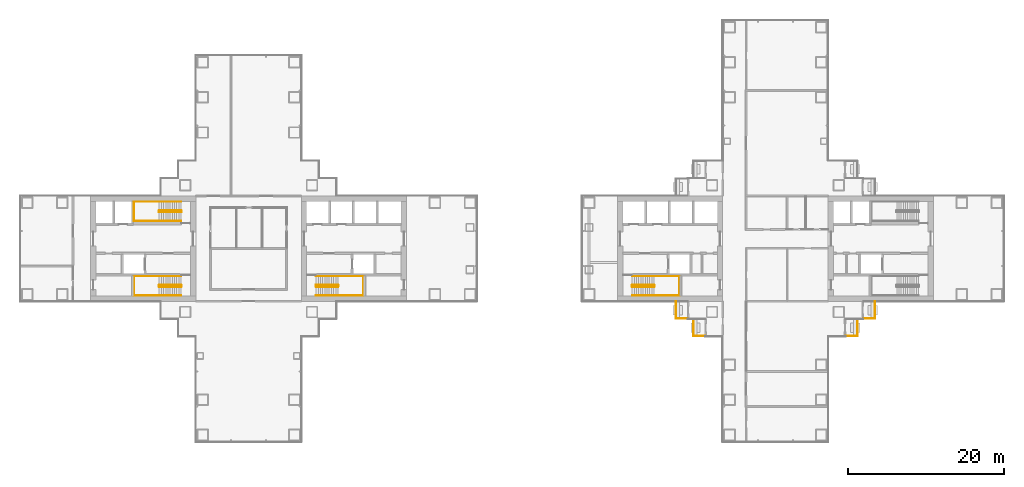
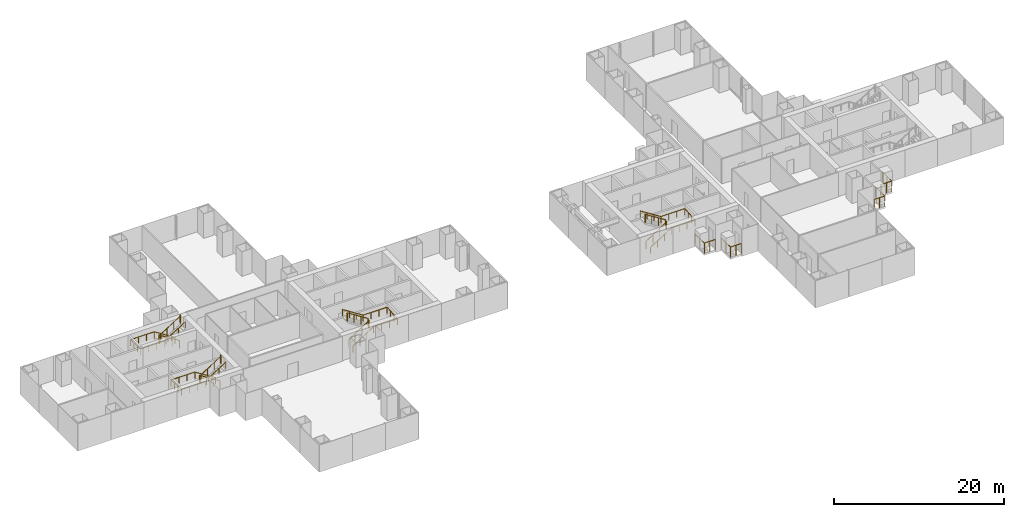
# One storey, part 20 of 22: 12 railings.
"""IFC4 building model written with IfcOpenShell, lengths in metres."""

from ifc_helpers import new_model, si_unit, direction, frame, origin, origin_2d, place, context, subcontext, project, spatial, circle, extrude, material, type_object, element, save


model = new_model("IFC4")

# Units and contexts
model_context = context("Model", 3, precision=1e-05, world=origin(), true_north=direction((0.0, 1.0)))
body_context = subcontext(model_context, "Body", "Model", "MODEL_VIEW")
ifc_project = project(units=[si_unit("LENGTHUNIT", "METRE"), si_unit("AREAUNIT", "SQUARE_METRE"), si_unit("VOLUMEUNIT", "CUBIC_METRE"), si_unit("PLANEANGLEUNIT", "RADIAN"), si_unit("MASSUNIT", "GRAM", prefix="KILO")], contexts=[model_context])

# Site, building, storey
site_placement = place(None, origin())
site = spatial("IfcSite", under=ifc_project, at=site_placement, CompositionType="ELEMENT")
building_placement = place(site_placement, origin())
building = spatial("IfcBuilding", under=site, at=building_placement, Name="Shamsa Quay Exchange Towers", CompositionType="ELEMENT")
storey_placement = place(building_placement, frame((0.0, 0.0, 69.300048828125)))
storey = spatial("IfcBuildingStorey", under=building, at=storey_placement, Name="L15", CompositionType="ELEMENT", Elevation=69.300048828125)

# Railings
ifc_material_1 = material(Name="Steel S355, black powder-coated", Category="steel")
railing_type_1 = type_object("IfcRailingType", Name="BALCONY GUARD 1500", PredefinedType="GUARDRAIL", material=ifc_material_1)
for number, where, name in (
    (1, (21.0, -6.7880859375, 0.0), "Balcony guard T2-PKWN L15"),
    (2, (23.25, -9.0380859375, 0.0), "Balcony guard T2-PKWN L15"),
):
    element("IfcRailing", number, at=place(storey_placement, frame(where)), inside=storey, type_object=railing_type_1, Name=name, PredefinedType="GUARDRAIL", context=body_context, shape_type="SweptSolid", body=[
        extrude(circle(Radius=0.02392578125, at=origin_2d()), frame((0.0, 0.0, 1.47607421875), z_axis=(0.0, -1.0, 0.0), x_axis=(1.0, 0.0, 0.0)), (0.0, 0.0, 1.0), 2.161865234375),
        extrude(circle(Radius=0.02392578125, at=origin_2d()), frame((0.0, -2.161865234375, 1.47607421875), z_axis=(1.0, 0.0, 0.0), x_axis=(0.0, 1.0, 0.0)), (0.0, 0.0, 1.0), 1.47900390625),
        extrude(circle(Radius=0.02099609375, at=origin_2d()), origin(), (0.0, 0.0, 1.0), 1.451904296875),
        extrude(circle(Radius=0.02099609375, at=origin_2d()), frame((0.0, -1.0810546875, 0.0)), (0.0, 0.0, 1.0), 1.451904296875),
        extrude(circle(Radius=0.02099609375, at=origin_2d()), frame((0.0, -2.161865234375, 0.0)), (0.0, 0.0, 1.0), 1.451904296875),
        extrude(circle(Radius=0.02099609375, at=origin_2d()), frame((0.739501953125, -2.161865234375, 0.0)), (0.0, 0.0, 1.0), 1.451904296875),
        extrude(circle(Radius=0.02099609375, at=origin_2d()), frame((1.47900390625, -2.161865234375, 0.0)), (0.0, 0.0, 1.0), 1.451904296875),
    ])
for number, where, name in (
    (3, (42.77099609375, -11.199951171875, 0.0), "Balcony guard T2-PKWS L15"),
    (4, (45.02099609375, -8.949951171875, 0.0), "Balcony guard T2-PKWS L15"),
):
    element("IfcRailing", number, at=place(storey_placement, frame(where)), inside=storey, type_object=railing_type_1, Name=name, PredefinedType="GUARDRAIL", context=body_context, shape_type="SweptSolid", body=[
        extrude(circle(Radius=0.02392578125, at=origin_2d()), frame((0.0, 0.0, 1.47607421875), z_axis=(1.0, 0.0, 0.0), x_axis=(0.0, 1.0, 0.0)), (0.0, 0.0, 1.0), 1.47900390625),
        extrude(circle(Radius=0.02392578125, at=origin_2d()), frame((1.47900390625, 0.0, 1.47607421875), z_axis=(0.0, 1.0, 0.0), x_axis=(-1.0, 0.0, 0.0)), (0.0, 0.0, 1.0), 2.161865234375),
        extrude(circle(Radius=0.02099609375, at=origin_2d()), origin(), (0.0, 0.0, 1.0), 1.451904296875),
        extrude(circle(Radius=0.02099609375, at=origin_2d()), frame((0.739501953125, 0.0, 0.0)), (0.0, 0.0, 1.0), 1.451904296875),
        extrude(circle(Radius=0.02099609375, at=origin_2d()), frame((1.47900390625, 0.0, 0.0)), (0.0, 0.0, 1.0), 1.451904296875),
        extrude(circle(Radius=0.02099609375, at=origin_2d()), frame((1.47900390625, 1.0810546875, 0.0)), (0.0, 0.0, 1.0), 1.451904296875),
        extrude(circle(Radius=0.02099609375, at=origin_2d()), frame((1.47900390625, 2.161865234375, 0.0)), (0.0, 0.0, 1.0), 1.451904296875),
    ])
ifc_material_2 = material(Name="Stainless steel", Category="steel")
railing_type_2 = type_object("IfcRailingType", Name="STAIR GUARD 1100", PredefinedType="GUARDRAIL", material=ifc_material_2)
railing_1_placement = place(storey_placement, frame((-25.10009765625, -4.89990234375, 0.17724609375)))
element("IfcRailing", 5, at=railing_1_placement, inside=storey, type_object=railing_type_2, Name="L15 ST1 stair guard 1", PredefinedType="GUARDRAIL", context=body_context, shape_type="SweptSolid", body=[
    extrude(circle(Radius=0.02392578125, at=origin_2d()), frame((0.0, 0.0, 1.076171875), z_axis=(0.844908973607, 0.0, 0.534910110503), x_axis=(0.0, 1.0, 0.0)), (0.0, 0.0, 1.0), 3.31396484375),
    extrude(circle(Radius=0.02392578125, at=origin_2d()), frame((2.800048828125, 0.0, 2.8486328125), z_axis=(0.708833529934, 0.705375805398, 0.0), x_axis=(-0.705375805398, 0.708833529934, 0.0)), (0.0, 0.0, 1.0), 0.070556640625),
    extrude(circle(Radius=0.02392578125, at=origin_2d()), frame((2.85009765625, 0.0498046875, 2.8486328125), z_axis=(0.0, 1.0, 0.0), x_axis=(-1.0, 0.0, 0.0)), (0.0, 0.0, 1.0), 0.150146484375),
    extrude(circle(Radius=0.02392578125, at=origin_2d()), frame((2.85009765625, 0.199951171875, 2.8486328125), z_axis=(-0.262233686654, 0.262233686654, 0.928691007369), x_axis=(-0.707106781187, -0.707106781187, 0.0)), (0.0, 0.0, 1.0), 0.19091796875),
    extrude(circle(Radius=0.02392578125, at=origin_2d()), frame((2.800048828125, 0.25, 3.02587890625), z_axis=(-0.844908973607, 0.0, 0.534910110503), x_axis=(0.0, -1.0, 0.0)), (0.0, 0.0, 1.0), 3.31396484375),
    extrude(circle(Radius=0.02392578125, at=origin_2d()), frame((0.0, 0.25, 4.798828125), z_axis=(-0.24142163986, -0.970420317083, 0.0), x_axis=(0.970420317083, -0.24142163986, 0.0)), (0.0, 0.0, 1.0), 0.206298828125),
    extrude(circle(Radius=0.02392578125, at=origin_2d()), frame((-0.0498046875, 0.0498046875, 4.798828125), z_axis=(0.0, 1.0, 0.0), x_axis=(-1.0, 0.0, 0.0)), (0.0, 0.0, 1.0), 0.150146484375),
    extrude(circle(Radius=0.02099609375, at=origin_2d()), origin(), (0.0, 0.0, 1.0), 1.052001953125),
    extrude(circle(Radius=0.02099609375, at=origin_2d()), frame((0.933349609375, 0.0, 0.5908203125)), (0.0, 0.0, 1.0), 1.052001953125),
    extrude(circle(Radius=0.02099609375, at=origin_2d()), frame((1.86669921875, 0.0, 1.181884765625)), (0.0, 0.0, 1.0), 1.052001953125),
    extrude(circle(Radius=0.02099609375, at=origin_2d()), frame((2.800048828125, 0.0, 1.772705078125)), (0.0, 0.0, 1.0), 1.052001953125),
    extrude(circle(Radius=0.02099609375, at=origin_2d()), frame((2.85009765625, 0.0498046875, 1.772705078125)), (0.0, 0.0, 1.0), 1.052001953125),
    extrude(circle(Radius=0.02099609375, at=origin_2d()), frame((2.85009765625, 0.199951171875, 1.772705078125)), (0.0, 0.0, 1.0), 1.052001953125),
    extrude(circle(Radius=0.02099609375, at=origin_2d()), frame((2.800048828125, 0.25, 1.949951171875)), (0.0, 0.0, 1.0), 1.052001953125),
    extrude(circle(Radius=0.02099609375, at=origin_2d()), frame((1.86669921875, 0.25, 2.540771484375)), (0.0, 0.0, 1.0), 1.052001953125),
    extrude(circle(Radius=0.02099609375, at=origin_2d()), frame((0.933349609375, 0.25, 3.1318359375)), (0.0, 0.0, 1.0), 1.052001953125),
    extrude(circle(Radius=0.02099609375, at=origin_2d()), frame((0.0, 0.25, 3.72265625)), (0.0, 0.0, 1.0), 1.052001953125),
    extrude(circle(Radius=0.02099609375, at=origin_2d()), frame((-0.0498046875, 0.0498046875, 3.72265625)), (0.0, 0.0, 1.0), 1.052001953125),
    extrude(circle(Radius=0.02099609375, at=origin_2d()), frame((-0.0498046875, 0.199951171875, 3.72265625)), (0.0, 0.0, 1.0), 1.052001953125),
])
railing_2_placement = place(storey_placement, frame((-42.39990234375, -4.64990234375, 0.17724609375)))
element("IfcRailing", 6, at=railing_2_placement, inside=storey, type_object=railing_type_2, Name="L15 ST2 stair guard 1", PredefinedType="GUARDRAIL", context=body_context, shape_type="SweptSolid", body=[
    extrude(circle(Radius=0.02392578125, at=origin_2d()), frame((0.0, 0.0, 1.076171875), z_axis=(-0.844908973607, 0.0, 0.534910110503), x_axis=(0.0, -1.0, 0.0)), (0.0, 0.0, 1.0), 3.31396484375),
    extrude(circle(Radius=0.02392578125, at=origin_2d()), frame((-2.800048828125, 0.0, 2.8486328125), z_axis=(-0.707106781187, -0.707106781187, 0.0), x_axis=(0.707106781187, -0.707106781187, 0.0)), (0.0, 0.0, 1.0), 0.07080078125),
    extrude(circle(Radius=0.02392578125, at=origin_2d()), frame((-2.85009765625, -0.050048828125, 2.8486328125), z_axis=(0.0, -1.0, 0.0), x_axis=(1.0, 0.0, 0.0)), (0.0, 0.0, 1.0), 0.150146484375),
    extrude(circle(Radius=0.02392578125, at=origin_2d()), frame((-2.85009765625, -0.2001953125, 2.8486328125), z_axis=(0.262321481514, -0.261041864531, 0.929001929653), x_axis=(0.705375805398, 0.708833529934, 0.0)), (0.0, 0.0, 1.0), 0.190673828125),
    extrude(circle(Radius=0.02392578125, at=origin_2d()), frame((-2.800048828125, -0.25, 3.02587890625), z_axis=(0.844908973607, 0.0, 0.534910110503), x_axis=(0.0, 1.0, 0.0)), (0.0, 0.0, 1.0), 3.31396484375),
    extrude(circle(Radius=0.02392578125, at=origin_2d()), frame((0.0, -0.25, 4.798828125), z_axis=(0.241699205484, 0.970351222016, 0.0), x_axis=(-0.970351222016, 0.241699205484, 0.0)), (0.0, 0.0, 1.0), 0.2060546875),
    extrude(circle(Radius=0.02392578125, at=origin_2d()), frame((0.0498046875, -0.050048828125, 4.798828125), z_axis=(0.0, -1.0, 0.0), x_axis=(1.0, 0.0, 0.0)), (0.0, 0.0, 1.0), 0.150146484375),
    extrude(circle(Radius=0.02099609375, at=origin_2d()), origin(), (0.0, 0.0, 1.0), 1.052001953125),
    extrude(circle(Radius=0.02099609375, at=origin_2d()), frame((-0.933349609375, 0.0, 0.5908203125)), (0.0, 0.0, 1.0), 1.052001953125),
    extrude(circle(Radius=0.02099609375, at=origin_2d()), frame((-1.86669921875, 0.0, 1.181884765625)), (0.0, 0.0, 1.0), 1.052001953125),
    extrude(circle(Radius=0.02099609375, at=origin_2d()), frame((-2.800048828125, 0.0, 1.772705078125)), (0.0, 0.0, 1.0), 1.052001953125),
    extrude(circle(Radius=0.02099609375, at=origin_2d()), frame((-2.85009765625, -0.050048828125, 1.772705078125)), (0.0, 0.0, 1.0), 1.052001953125),
    extrude(circle(Radius=0.02099609375, at=origin_2d()), frame((-2.85009765625, -0.2001953125, 1.772705078125)), (0.0, 0.0, 1.0), 1.052001953125),
    extrude(circle(Radius=0.02099609375, at=origin_2d()), frame((-2.800048828125, -0.25, 1.949951171875)), (0.0, 0.0, 1.0), 1.052001953125),
    extrude(circle(Radius=0.02099609375, at=origin_2d()), frame((-1.86669921875, -0.25, 2.540771484375)), (0.0, 0.0, 1.0), 1.052001953125),
    extrude(circle(Radius=0.02099609375, at=origin_2d()), frame((-0.933349609375, -0.25, 3.1318359375)), (0.0, 0.0, 1.0), 1.052001953125),
    extrude(circle(Radius=0.02099609375, at=origin_2d()), frame((0.0, -0.25, 3.72265625)), (0.0, 0.0, 1.0), 1.052001953125),
    extrude(circle(Radius=0.02099609375, at=origin_2d()), frame((0.0498046875, -0.050048828125, 3.72265625)), (0.0, 0.0, 1.0), 1.052001953125),
    extrude(circle(Radius=0.02099609375, at=origin_2d()), frame((0.0498046875, -0.2001953125, 3.72265625)), (0.0, 0.0, 1.0), 1.052001953125),
])
railing_3_placement = place(storey_placement, frame((-42.39990234375, 4.89990234375, 0.17724609375)))
element("IfcRailing", 7, at=railing_3_placement, inside=storey, type_object=railing_type_2, Name="L15 ST3 stair guard 1", PredefinedType="GUARDRAIL", context=body_context, shape_type="SweptSolid", body=[
    extrude(circle(Radius=0.02392578125, at=origin_2d()), frame((0.0, 0.0, 1.076171875), z_axis=(-0.844908973607, 0.0, 0.534910110503), x_axis=(0.0, -1.0, 0.0)), (0.0, 0.0, 1.0), 3.31396484375),
    extrude(circle(Radius=0.02392578125, at=origin_2d()), frame((-2.800048828125, 0.0, 2.8486328125), z_axis=(-0.708833529934, -0.705375805398, 0.0), x_axis=(0.705375805398, -0.708833529934, 0.0)), (0.0, 0.0, 1.0), 0.070556640625),
    extrude(circle(Radius=0.02392578125, at=origin_2d()), frame((-2.85009765625, -0.0498046875, 2.8486328125), z_axis=(0.0, -1.0, 0.0), x_axis=(1.0, 0.0, 0.0)), (0.0, 0.0, 1.0), 0.150146484375),
    extrude(circle(Radius=0.02392578125, at=origin_2d()), frame((-2.85009765625, -0.199951171875, 2.8486328125), z_axis=(0.262233686654, -0.262233686654, 0.928691007369), x_axis=(0.707106781187, 0.707106781187, 0.0)), (0.0, 0.0, 1.0), 0.19091796875),
    extrude(circle(Radius=0.02392578125, at=origin_2d()), frame((-2.800048828125, -0.25, 3.02587890625), z_axis=(0.844908973607, 0.0, 0.534910110503), x_axis=(0.0, 1.0, 0.0)), (0.0, 0.0, 1.0), 3.31396484375),
    extrude(circle(Radius=0.02392578125, at=origin_2d()), frame((0.0, -0.25, 4.798828125), z_axis=(0.24142163986, 0.970420317083, 0.0), x_axis=(-0.970420317083, 0.24142163986, 0.0)), (0.0, 0.0, 1.0), 0.206298828125),
    extrude(circle(Radius=0.02392578125, at=origin_2d()), frame((0.0498046875, -0.0498046875, 4.798828125), z_axis=(0.0, -1.0, 0.0), x_axis=(1.0, 0.0, 0.0)), (0.0, 0.0, 1.0), 0.150146484375),
    extrude(circle(Radius=0.02099609375, at=origin_2d()), origin(), (0.0, 0.0, 1.0), 1.052001953125),
    extrude(circle(Radius=0.02099609375, at=origin_2d()), frame((-0.933349609375, 0.0, 0.5908203125)), (0.0, 0.0, 1.0), 1.052001953125),
    extrude(circle(Radius=0.02099609375, at=origin_2d()), frame((-1.86669921875, 0.0, 1.181884765625)), (0.0, 0.0, 1.0), 1.052001953125),
    extrude(circle(Radius=0.02099609375, at=origin_2d()), frame((-2.800048828125, 0.0, 1.772705078125)), (0.0, 0.0, 1.0), 1.052001953125),
    extrude(circle(Radius=0.02099609375, at=origin_2d()), frame((-2.85009765625, -0.0498046875, 1.772705078125)), (0.0, 0.0, 1.0), 1.052001953125),
    extrude(circle(Radius=0.02099609375, at=origin_2d()), frame((-2.85009765625, -0.199951171875, 1.772705078125)), (0.0, 0.0, 1.0), 1.052001953125),
    extrude(circle(Radius=0.02099609375, at=origin_2d()), frame((-2.800048828125, -0.25, 1.949951171875)), (0.0, 0.0, 1.0), 1.052001953125),
    extrude(circle(Radius=0.02099609375, at=origin_2d()), frame((-1.86669921875, -0.25, 2.540771484375)), (0.0, 0.0, 1.0), 1.052001953125),
    extrude(circle(Radius=0.02099609375, at=origin_2d()), frame((-0.933349609375, -0.25, 3.1318359375)), (0.0, 0.0, 1.0), 1.052001953125),
    extrude(circle(Radius=0.02099609375, at=origin_2d()), frame((0.0, -0.25, 3.72265625)), (0.0, 0.0, 1.0), 1.052001953125),
    extrude(circle(Radius=0.02099609375, at=origin_2d()), frame((0.0498046875, -0.0498046875, 3.72265625)), (0.0, 0.0, 1.0), 1.052001953125),
    extrude(circle(Radius=0.02099609375, at=origin_2d()), frame((0.0498046875, -0.199951171875, 3.72265625)), (0.0, 0.0, 1.0), 1.052001953125),
])
railing_4_placement = place(storey_placement, frame((15.39990234375, -4.89990234375, 0.17724609375)))
element("IfcRailing", 8, at=railing_4_placement, inside=storey, type_object=railing_type_2, Name="L15 ST4 stair guard 1", PredefinedType="GUARDRAIL", context=body_context, shape_type="SweptSolid", body=[
    extrude(circle(Radius=0.02392578125, at=origin_2d()), frame((0.0, 0.0, 1.076171875), z_axis=(0.844908973607, 0.0, 0.534910110503), x_axis=(0.0, 1.0, 0.0)), (0.0, 0.0, 1.0), 3.31396484375),
    extrude(circle(Radius=0.02392578125, at=origin_2d()), frame((2.800048828125, 0.0, 2.8486328125), z_axis=(0.708833529934, 0.705375805398, 0.0), x_axis=(-0.705375805398, 0.708833529934, 0.0)), (0.0, 0.0, 1.0), 0.070556640625),
    extrude(circle(Radius=0.02392578125, at=origin_2d()), frame((2.85009765625, 0.0498046875, 2.8486328125), z_axis=(0.0, 1.0, 0.0), x_axis=(-1.0, 0.0, 0.0)), (0.0, 0.0, 1.0), 0.150146484375),
    extrude(circle(Radius=0.02392578125, at=origin_2d()), frame((2.85009765625, 0.199951171875, 2.8486328125), z_axis=(-0.262233686654, 0.262233686654, 0.928691007369), x_axis=(-0.707106781187, -0.707106781187, 0.0)), (0.0, 0.0, 1.0), 0.19091796875),
    extrude(circle(Radius=0.02392578125, at=origin_2d()), frame((2.800048828125, 0.25, 3.02587890625), z_axis=(-0.844908973607, 0.0, 0.534910110503), x_axis=(0.0, -1.0, 0.0)), (0.0, 0.0, 1.0), 3.31396484375),
    extrude(circle(Radius=0.02392578125, at=origin_2d()), frame((0.0, 0.25, 4.798828125), z_axis=(-0.24142163986, -0.970420317083, 0.0), x_axis=(0.970420317083, -0.24142163986, 0.0)), (0.0, 0.0, 1.0), 0.206298828125),
    extrude(circle(Radius=0.02392578125, at=origin_2d()), frame((-0.0498046875, 0.0498046875, 4.798828125), z_axis=(0.0, 1.0, 0.0), x_axis=(-1.0, 0.0, 0.0)), (0.0, 0.0, 1.0), 0.150146484375),
    extrude(circle(Radius=0.02099609375, at=origin_2d()), origin(), (0.0, 0.0, 1.0), 1.052001953125),
    extrude(circle(Radius=0.02099609375, at=origin_2d()), frame((0.933349609375, 0.0, 0.5908203125)), (0.0, 0.0, 1.0), 1.052001953125),
    extrude(circle(Radius=0.02099609375, at=origin_2d()), frame((1.86669921875, 0.0, 1.181884765625)), (0.0, 0.0, 1.0), 1.052001953125),
    extrude(circle(Radius=0.02099609375, at=origin_2d()), frame((2.800048828125, 0.0, 1.772705078125)), (0.0, 0.0, 1.0), 1.052001953125),
    extrude(circle(Radius=0.02099609375, at=origin_2d()), frame((2.85009765625, 0.0498046875, 1.772705078125)), (0.0, 0.0, 1.0), 1.052001953125),
    extrude(circle(Radius=0.02099609375, at=origin_2d()), frame((2.85009765625, 0.199951171875, 1.772705078125)), (0.0, 0.0, 1.0), 1.052001953125),
    extrude(circle(Radius=0.02099609375, at=origin_2d()), frame((2.800048828125, 0.25, 1.949951171875)), (0.0, 0.0, 1.0), 1.052001953125),
    extrude(circle(Radius=0.02099609375, at=origin_2d()), frame((1.86669921875, 0.25, 2.540771484375)), (0.0, 0.0, 1.0), 1.052001953125),
    extrude(circle(Radius=0.02099609375, at=origin_2d()), frame((0.933349609375, 0.25, 3.1318359375)), (0.0, 0.0, 1.0), 1.052001953125),
    extrude(circle(Radius=0.02099609375, at=origin_2d()), frame((0.0, 0.25, 3.72265625)), (0.0, 0.0, 1.0), 1.052001953125),
    extrude(circle(Radius=0.02099609375, at=origin_2d()), frame((-0.0498046875, 0.0498046875, 3.72265625)), (0.0, 0.0, 1.0), 1.052001953125),
    extrude(circle(Radius=0.02099609375, at=origin_2d()), frame((-0.0498046875, 0.199951171875, 3.72265625)), (0.0, 0.0, 1.0), 1.052001953125),
])
railing_type_3 = type_object("IfcRailingType", Name="STAIR HANDRAIL 900", PredefinedType="HANDRAIL", material=ifc_material_2)
railing_5_placement = place(storey_placement, frame((-25.10009765625, -6.0, 0.17724609375)))
element("IfcRailing", 9, at=railing_5_placement, inside=storey, type_object=railing_type_3, Name="L15 ST1 stair handrail 1", PredefinedType="HANDRAIL", context=body_context, shape_type="SweptSolid", body=[
    extrude(circle(Radius=0.02392578125, at=origin_2d()), frame((0.0, 0.0, 0.8759765625), z_axis=(0.844908973607, 0.0, 0.534910110503), x_axis=(0.0, 1.0, 0.0)), (0.0, 0.0, 1.0), 3.31396484375),
    extrude(circle(Radius=0.02392578125, at=origin_2d()), frame((2.800048828125, 0.0, 2.6484375), z_axis=(1.0, 0.0, 0.0), x_axis=(0.0, 1.0, 0.0)), (0.0, 0.0, 1.0), 3.25),
    extrude(circle(Radius=0.02392578125, at=origin_2d()), frame((6.050048828125, 0.0, 2.6484375), z_axis=(0.0, 0.997393199914, 0.07215819264), x_axis=(-1.0, 0.0, 0.0)), (0.0, 0.0, 1.0), 2.456298828125),
    extrude(circle(Radius=0.02392578125, at=origin_2d()), frame((6.050048828125, 2.449951171875, 2.82568359375), z_axis=(-1.0, 0.0, 0.0), x_axis=(0.0, -1.0, 0.0)), (0.0, 0.0, 1.0), 3.25),
    extrude(circle(Radius=0.02392578125, at=origin_2d()), frame((2.800048828125, 2.449951171875, 2.82568359375), z_axis=(-0.844908973607, 0.0, 0.534910110503), x_axis=(0.0, -1.0, 0.0)), (0.0, 0.0, 1.0), 3.31396484375),
    extrude(circle(Radius=0.02099609375, at=origin_2d()), origin(), (0.0, 0.0, 1.0), 0.851806640625),
    extrude(circle(Radius=0.02099609375, at=origin_2d()), frame((0.933349609375, 0.0, 0.5908203125)), (0.0, 0.0, 1.0), 0.851806640625),
    extrude(circle(Radius=0.02099609375, at=origin_2d()), frame((1.86669921875, 0.0, 1.181884765625)), (0.0, 0.0, 1.0), 0.851806640625),
    extrude(circle(Radius=0.02099609375, at=origin_2d()), frame((2.800048828125, 0.0, 1.772705078125)), (0.0, 0.0, 1.0), 0.851806640625),
    extrude(circle(Radius=0.02099609375, at=origin_2d()), frame((3.88330078125, 0.0, 1.772705078125)), (0.0, 0.0, 1.0), 0.851806640625),
    extrude(circle(Radius=0.02099609375, at=origin_2d()), frame((4.966796875, 0.0, 1.772705078125)), (0.0, 0.0, 1.0), 0.851806640625),
    extrude(circle(Radius=0.02099609375, at=origin_2d()), frame((6.050048828125, 0.0, 1.772705078125)), (0.0, 0.0, 1.0), 0.851806640625),
    extrude(circle(Radius=0.02099609375, at=origin_2d()), frame((6.050048828125, 0.816650390625, 1.831787109375)), (0.0, 0.0, 1.0), 0.851806640625),
    extrude(circle(Radius=0.02099609375, at=origin_2d()), frame((6.050048828125, 1.63330078125, 1.890869140625)), (0.0, 0.0, 1.0), 0.851806640625),
    extrude(circle(Radius=0.02099609375, at=origin_2d()), frame((6.050048828125, 2.449951171875, 1.949951171875)), (0.0, 0.0, 1.0), 0.851806640625),
    extrude(circle(Radius=0.02099609375, at=origin_2d()), frame((4.966796875, 2.449951171875, 1.949951171875)), (0.0, 0.0, 1.0), 0.851806640625),
    extrude(circle(Radius=0.02099609375, at=origin_2d()), frame((3.88330078125, 2.449951171875, 1.949951171875)), (0.0, 0.0, 1.0), 0.851806640625),
    extrude(circle(Radius=0.02099609375, at=origin_2d()), frame((2.800048828125, 2.449951171875, 1.949951171875)), (0.0, 0.0, 1.0), 0.851806640625),
    extrude(circle(Radius=0.02099609375, at=origin_2d()), frame((1.86669921875, 2.449951171875, 2.540771484375)), (0.0, 0.0, 1.0), 0.851806640625),
    extrude(circle(Radius=0.02099609375, at=origin_2d()), frame((0.933349609375, 2.449951171875, 3.1318359375)), (0.0, 0.0, 1.0), 0.851806640625),
    extrude(circle(Radius=0.02099609375, at=origin_2d()), frame((0.0, 2.449951171875, 3.72265625)), (0.0, 0.0, 1.0), 0.851806640625),
])
railing_6_placement = place(storey_placement, frame((-42.39990234375, -3.550048828125, 0.17724609375)))
element("IfcRailing", 10, at=railing_6_placement, inside=storey, type_object=railing_type_3, Name="L15 ST2 stair handrail 1", PredefinedType="HANDRAIL", context=body_context, shape_type="SweptSolid", body=[
    extrude(circle(Radius=0.02392578125, at=origin_2d()), frame((0.0, 0.0, 0.8759765625), z_axis=(-0.844908973607, 0.0, 0.534910110503), x_axis=(0.0, -1.0, 0.0)), (0.0, 0.0, 1.0), 3.31396484375),
    extrude(circle(Radius=0.02392578125, at=origin_2d()), frame((-2.800048828125, 0.0, 2.6484375), z_axis=(-1.0, 0.0, 0.0), x_axis=(0.0, -1.0, 0.0)), (0.0, 0.0, 1.0), 3.25),
    extrude(circle(Radius=0.02392578125, at=origin_2d()), frame((-6.050048828125, 0.0, 2.6484375), z_axis=(0.0, -0.997393199914, 0.07215819264), x_axis=(1.0, 0.0, 0.0)), (0.0, 0.0, 1.0), 2.456298828125),
    extrude(circle(Radius=0.02392578125, at=origin_2d()), frame((-6.050048828125, -2.449951171875, 2.82568359375), z_axis=(1.0, 0.0, 0.0), x_axis=(0.0, 1.0, 0.0)), (0.0, 0.0, 1.0), 3.25),
    extrude(circle(Radius=0.02392578125, at=origin_2d()), frame((-2.800048828125, -2.449951171875, 2.82568359375), z_axis=(0.844908973607, 0.0, 0.534910110503), x_axis=(0.0, 1.0, 0.0)), (0.0, 0.0, 1.0), 3.31396484375),
    extrude(circle(Radius=0.02099609375, at=origin_2d()), origin(), (0.0, 0.0, 1.0), 0.851806640625),
    extrude(circle(Radius=0.02099609375, at=origin_2d()), frame((-0.933349609375, 0.0, 0.5908203125)), (0.0, 0.0, 1.0), 0.851806640625),
    extrude(circle(Radius=0.02099609375, at=origin_2d()), frame((-1.86669921875, 0.0, 1.181884765625)), (0.0, 0.0, 1.0), 0.851806640625),
    extrude(circle(Radius=0.02099609375, at=origin_2d()), frame((-2.800048828125, 0.0, 1.772705078125)), (0.0, 0.0, 1.0), 0.851806640625),
    extrude(circle(Radius=0.02099609375, at=origin_2d()), frame((-3.88330078125, 0.0, 1.772705078125)), (0.0, 0.0, 1.0), 0.851806640625),
    extrude(circle(Radius=0.02099609375, at=origin_2d()), frame((-4.966796875, 0.0, 1.772705078125)), (0.0, 0.0, 1.0), 0.851806640625),
    extrude(circle(Radius=0.02099609375, at=origin_2d()), frame((-6.050048828125, 0.0, 1.772705078125)), (0.0, 0.0, 1.0), 0.851806640625),
    extrude(circle(Radius=0.02099609375, at=origin_2d()), frame((-6.050048828125, -0.816650390625, 1.831787109375)), (0.0, 0.0, 1.0), 0.851806640625),
    extrude(circle(Radius=0.02099609375, at=origin_2d()), frame((-6.050048828125, -1.63330078125, 1.890869140625)), (0.0, 0.0, 1.0), 0.851806640625),
    extrude(circle(Radius=0.02099609375, at=origin_2d()), frame((-6.050048828125, -2.449951171875, 1.949951171875)), (0.0, 0.0, 1.0), 0.851806640625),
    extrude(circle(Radius=0.02099609375, at=origin_2d()), frame((-4.966796875, -2.449951171875, 1.949951171875)), (0.0, 0.0, 1.0), 0.851806640625),
    extrude(circle(Radius=0.02099609375, at=origin_2d()), frame((-3.88330078125, -2.449951171875, 1.949951171875)), (0.0, 0.0, 1.0), 0.851806640625),
    extrude(circle(Radius=0.02099609375, at=origin_2d()), frame((-2.800048828125, -2.449951171875, 1.949951171875)), (0.0, 0.0, 1.0), 0.851806640625),
    extrude(circle(Radius=0.02099609375, at=origin_2d()), frame((-1.86669921875, -2.449951171875, 2.540771484375)), (0.0, 0.0, 1.0), 0.851806640625),
    extrude(circle(Radius=0.02099609375, at=origin_2d()), frame((-0.933349609375, -2.449951171875, 3.1318359375)), (0.0, 0.0, 1.0), 0.851806640625),
    extrude(circle(Radius=0.02099609375, at=origin_2d()), frame((0.0, -2.449951171875, 3.72265625)), (0.0, 0.0, 1.0), 0.851806640625),
])
railing_7_placement = place(storey_placement, frame((-42.39990234375, 6.0, 0.17724609375)))
element("IfcRailing", 11, at=railing_7_placement, inside=storey, type_object=railing_type_3, Name="L15 ST3 stair handrail 1", PredefinedType="HANDRAIL", context=body_context, shape_type="SweptSolid", body=[
    extrude(circle(Radius=0.02392578125, at=origin_2d()), frame((0.0, 0.0, 0.8759765625), z_axis=(-0.844908973607, 0.0, 0.534910110503), x_axis=(0.0, -1.0, 0.0)), (0.0, 0.0, 1.0), 3.31396484375),
    extrude(circle(Radius=0.02392578125, at=origin_2d()), frame((-2.800048828125, 0.0, 2.6484375), z_axis=(-1.0, 0.0, 0.0), x_axis=(0.0, -1.0, 0.0)), (0.0, 0.0, 1.0), 3.25),
    extrude(circle(Radius=0.02392578125, at=origin_2d()), frame((-6.050048828125, 0.0, 2.6484375), z_axis=(0.0, -0.997393199914, 0.07215819264), x_axis=(1.0, 0.0, 0.0)), (0.0, 0.0, 1.0), 2.456298828125),
    extrude(circle(Radius=0.02392578125, at=origin_2d()), frame((-6.050048828125, -2.449951171875, 2.82568359375), z_axis=(1.0, 0.0, 0.0), x_axis=(0.0, 1.0, 0.0)), (0.0, 0.0, 1.0), 3.25),
    extrude(circle(Radius=0.02392578125, at=origin_2d()), frame((-2.800048828125, -2.449951171875, 2.82568359375), z_axis=(0.844908973607, 0.0, 0.534910110503), x_axis=(0.0, 1.0, 0.0)), (0.0, 0.0, 1.0), 3.31396484375),
    extrude(circle(Radius=0.02099609375, at=origin_2d()), origin(), (0.0, 0.0, 1.0), 0.851806640625),
    extrude(circle(Radius=0.02099609375, at=origin_2d()), frame((-0.933349609375, 0.0, 0.5908203125)), (0.0, 0.0, 1.0), 0.851806640625),
    extrude(circle(Radius=0.02099609375, at=origin_2d()), frame((-1.86669921875, 0.0, 1.181884765625)), (0.0, 0.0, 1.0), 0.851806640625),
    extrude(circle(Radius=0.02099609375, at=origin_2d()), frame((-2.800048828125, 0.0, 1.772705078125)), (0.0, 0.0, 1.0), 0.851806640625),
    extrude(circle(Radius=0.02099609375, at=origin_2d()), frame((-3.88330078125, 0.0, 1.772705078125)), (0.0, 0.0, 1.0), 0.851806640625),
    extrude(circle(Radius=0.02099609375, at=origin_2d()), frame((-4.966796875, 0.0, 1.772705078125)), (0.0, 0.0, 1.0), 0.851806640625),
    extrude(circle(Radius=0.02099609375, at=origin_2d()), frame((-6.050048828125, 0.0, 1.772705078125)), (0.0, 0.0, 1.0), 0.851806640625),
    extrude(circle(Radius=0.02099609375, at=origin_2d()), frame((-6.050048828125, -0.816650390625, 1.831787109375)), (0.0, 0.0, 1.0), 0.851806640625),
    extrude(circle(Radius=0.02099609375, at=origin_2d()), frame((-6.050048828125, -1.63330078125, 1.890869140625)), (0.0, 0.0, 1.0), 0.851806640625),
    extrude(circle(Radius=0.02099609375, at=origin_2d()), frame((-6.050048828125, -2.449951171875, 1.949951171875)), (0.0, 0.0, 1.0), 0.851806640625),
    extrude(circle(Radius=0.02099609375, at=origin_2d()), frame((-4.966796875, -2.449951171875, 1.949951171875)), (0.0, 0.0, 1.0), 0.851806640625),
    extrude(circle(Radius=0.02099609375, at=origin_2d()), frame((-3.88330078125, -2.449951171875, 1.949951171875)), (0.0, 0.0, 1.0), 0.851806640625),
    extrude(circle(Radius=0.02099609375, at=origin_2d()), frame((-2.800048828125, -2.449951171875, 1.949951171875)), (0.0, 0.0, 1.0), 0.851806640625),
    extrude(circle(Radius=0.02099609375, at=origin_2d()), frame((-1.86669921875, -2.449951171875, 2.540771484375)), (0.0, 0.0, 1.0), 0.851806640625),
    extrude(circle(Radius=0.02099609375, at=origin_2d()), frame((-0.933349609375, -2.449951171875, 3.1318359375)), (0.0, 0.0, 1.0), 0.851806640625),
    extrude(circle(Radius=0.02099609375, at=origin_2d()), frame((0.0, -2.449951171875, 3.72265625)), (0.0, 0.0, 1.0), 0.851806640625),
])
railing_8_placement = place(storey_placement, frame((15.39990234375, -6.0, 0.17724609375)))
element("IfcRailing", 12, at=railing_8_placement, inside=storey, type_object=railing_type_3, Name="L15 ST4 stair handrail 1", PredefinedType="HANDRAIL", context=body_context, shape_type="SweptSolid", body=[
    extrude(circle(Radius=0.02392578125, at=origin_2d()), frame((0.0, 0.0, 0.8759765625), z_axis=(0.844908973607, 0.0, 0.534910110503), x_axis=(0.0, 1.0, 0.0)), (0.0, 0.0, 1.0), 3.31396484375),
    extrude(circle(Radius=0.02392578125, at=origin_2d()), frame((2.800048828125, 0.0, 2.6484375), z_axis=(1.0, 0.0, 0.0), x_axis=(0.0, 1.0, 0.0)), (0.0, 0.0, 1.0), 3.25),
    extrude(circle(Radius=0.02392578125, at=origin_2d()), frame((6.050048828125, 0.0, 2.6484375), z_axis=(0.0, 0.997393199914, 0.07215819264), x_axis=(-1.0, 0.0, 0.0)), (0.0, 0.0, 1.0), 2.456298828125),
    extrude(circle(Radius=0.02392578125, at=origin_2d()), frame((6.050048828125, 2.449951171875, 2.82568359375), z_axis=(-1.0, 0.0, 0.0), x_axis=(0.0, -1.0, 0.0)), (0.0, 0.0, 1.0), 3.25),
    extrude(circle(Radius=0.02392578125, at=origin_2d()), frame((2.800048828125, 2.449951171875, 2.82568359375), z_axis=(-0.844908973607, 0.0, 0.534910110503), x_axis=(0.0, -1.0, 0.0)), (0.0, 0.0, 1.0), 3.31396484375),
    extrude(circle(Radius=0.02099609375, at=origin_2d()), origin(), (0.0, 0.0, 1.0), 0.851806640625),
    extrude(circle(Radius=0.02099609375, at=origin_2d()), frame((0.933349609375, 0.0, 0.5908203125)), (0.0, 0.0, 1.0), 0.851806640625),
    extrude(circle(Radius=0.02099609375, at=origin_2d()), frame((1.86669921875, 0.0, 1.181884765625)), (0.0, 0.0, 1.0), 0.851806640625),
    extrude(circle(Radius=0.02099609375, at=origin_2d()), frame((2.800048828125, 0.0, 1.772705078125)), (0.0, 0.0, 1.0), 0.851806640625),
    extrude(circle(Radius=0.02099609375, at=origin_2d()), frame((3.88330078125, 0.0, 1.772705078125)), (0.0, 0.0, 1.0), 0.851806640625),
    extrude(circle(Radius=0.02099609375, at=origin_2d()), frame((4.966796875, 0.0, 1.772705078125)), (0.0, 0.0, 1.0), 0.851806640625),
    extrude(circle(Radius=0.02099609375, at=origin_2d()), frame((6.050048828125, 0.0, 1.772705078125)), (0.0, 0.0, 1.0), 0.851806640625),
    extrude(circle(Radius=0.02099609375, at=origin_2d()), frame((6.050048828125, 0.816650390625, 1.831787109375)), (0.0, 0.0, 1.0), 0.851806640625),
    extrude(circle(Radius=0.02099609375, at=origin_2d()), frame((6.050048828125, 1.63330078125, 1.890869140625)), (0.0, 0.0, 1.0), 0.851806640625),
    extrude(circle(Radius=0.02099609375, at=origin_2d()), frame((6.050048828125, 2.449951171875, 1.949951171875)), (0.0, 0.0, 1.0), 0.851806640625),
    extrude(circle(Radius=0.02099609375, at=origin_2d()), frame((4.966796875, 2.449951171875, 1.949951171875)), (0.0, 0.0, 1.0), 0.851806640625),
    extrude(circle(Radius=0.02099609375, at=origin_2d()), frame((3.88330078125, 2.449951171875, 1.949951171875)), (0.0, 0.0, 1.0), 0.851806640625),
    extrude(circle(Radius=0.02099609375, at=origin_2d()), frame((2.800048828125, 2.449951171875, 1.949951171875)), (0.0, 0.0, 1.0), 0.851806640625),
    extrude(circle(Radius=0.02099609375, at=origin_2d()), frame((1.86669921875, 2.449951171875, 2.540771484375)), (0.0, 0.0, 1.0), 0.851806640625),
    extrude(circle(Radius=0.02099609375, at=origin_2d()), frame((0.933349609375, 2.449951171875, 3.1318359375)), (0.0, 0.0, 1.0), 0.851806640625),
    extrude(circle(Radius=0.02099609375, at=origin_2d()), frame((0.0, 2.449951171875, 3.72265625)), (0.0, 0.0, 1.0), 0.851806640625),
])

save(model, "model.ifc")
